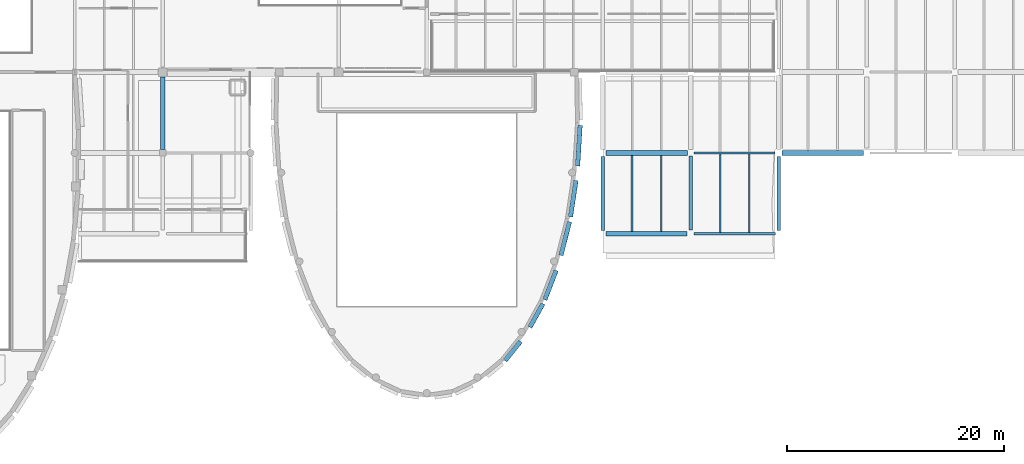
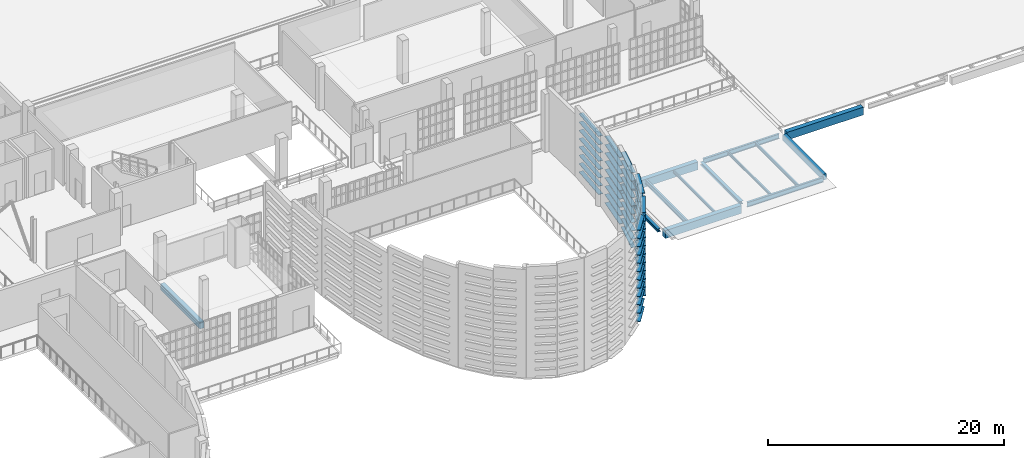
# One storey, part 13 of 73: 61 members, 13 beams.
"""IFC4 building model written with IfcOpenShell, lengths in metres."""

from ifc_helpers import new_model, si_unit, direction, frame, origin, origin_2d, place, context, subcontext, project, spatial, rectangle, hollow_rectangle, i_section, extrude, material, material_profile, profile_set, type_object, element, save


model = new_model("IFC4")

# Units and contexts
model_context = context("Model", 3, precision=1e-05, world=origin(), true_north=direction((0.0, 1.0)))
body_context = subcontext(model_context, "Body", "Model", "MODEL_VIEW")
ifc_project = project(units=[si_unit("LENGTHUNIT", "METRE"), si_unit("AREAUNIT", "SQUARE_METRE"), si_unit("VOLUMEUNIT", "CUBIC_METRE"), si_unit("PLANEANGLEUNIT", "RADIAN"), si_unit("MASSUNIT", "GRAM", prefix="KILO")], contexts=[model_context])

# Site, building, storey
site_placement = place(None, origin())
site = spatial("IfcSite", under=ifc_project, at=site_placement, CompositionType="ELEMENT")
building_placement = place(site_placement, origin())
building = spatial("IfcBuilding", under=site, at=building_placement, Name="Kaelora Sail Theatre", CompositionType="ELEMENT")
storey_placement = place(building_placement, frame((0.0, 0.0, 10.199951171875)))
storey = spatial("IfcBuildingStorey", under=building, at=storey_placement, Name="L02", CompositionType="ELEMENT", Elevation=10.199951171875)

# Members
ifc_material_1 = material(Name="Anodised aluminium 6063-T6", Category="aluminium")
ifc_material_profile_1 = material_profile(ifc_material_1, hollow_rectangle(XDim=0.419921875, YDim=0.054931640625, WallThickness=0.00390625, InnerFilletRadius=0.00390625, OuterFilletRadius=0.008056640625, at=origin_2d()), Name="LOUVRE 420x55x4")
ifc_profile_set_1 = profile_set([ifc_material_profile_1], Name="Anodised aluminium 6063-T6")
member_type = type_object("IfcMemberType", Name="ARC-MEM-LVR-420", PredefinedType="USERDEFINED", material=ifc_profile_set_1)
for number, where, z_axis, x_axis, name in (
    (1, (104.72265625, 56.121337890625, 0.510009765625), (-0.062079432588, -0.998071211913, 0.0), (0.998071211913, -0.062079432588, 0.0), "Studio Theatre Sail Drum horizontal solar louvre C2-12"),
    (2, (104.72265625, 56.121337890625, 1.3701171875), (-0.062079432588, -0.998071211913, 0.0), (0.998071211913, -0.062079432588, 0.0), "Studio Theatre Sail Drum horizontal solar louvre C2-13"),
    (3, (104.72265625, 56.121337890625, 2.22998046875), (-0.062079432588, -0.998071211913, 0.0), (0.998071211913, -0.062079432588, 0.0), "Studio Theatre Sail Drum horizontal solar louvre C2-14"),
    (4, (104.72265625, 56.121337890625, 3.090087890625), (-0.062079432588, -0.998071211913, 0.0), (0.998071211913, -0.062079432588, 0.0), "Studio Theatre Sail Drum horizontal solar louvre C2-15"),
    (5, (104.72265625, 56.121337890625, 3.949951171875), (-0.062079432588, -0.998071211913, 0.0), (0.998071211913, -0.062079432588, 0.0), "Studio Theatre Sail Drum horizontal solar louvre C2-16"),
    (6, (104.72265625, 56.121337890625, 4.81005859375), (-0.062079432588, -0.998071211913, 0.0), (0.998071211913, -0.062079432588, 0.0), "Studio Theatre Sail Drum horizontal solar louvre C2-17"),
    (7, (104.72265625, 56.121337890625, 5.670166015625), (-0.062079432588, -0.998071211913, 0.0), (0.998071211913, -0.062079432588, 0.0), "Studio Theatre Sail Drum horizontal solar louvre C2-18"),
    (8, (104.72265625, 56.121337890625, 6.530029296875), (-0.062079432588, -0.998071211913, 0.0), (0.998071211913, -0.062079432588, 0.0), "Studio Theatre Sail Drum horizontal solar louvre C2-19"),
):
    element("IfcMember", number, at=place(storey_placement, frame(where, z_axis=z_axis, x_axis=x_axis)), inside=storey, type_object=member_type, Name=name, ObjectType="LOUVRE", PredefinedType="USERDEFINED", context=body_context, shape_type="SweptSolid", body=[
        extrude(hollow_rectangle(XDim=0.419921875, YDim=0.054931640625, WallThickness=0.00390625, InnerFilletRadius=0.00390625, OuterFilletRadius=0.008056640625, at=origin_2d()), origin(), (0.0, 0.0, 1.0), 3.763671875),
    ])
for number, where, z_axis, x_axis, name in (
    (9, (104.340087890625, 51.04443359375, 0.510009765625), (-0.149366728662, -0.98878186693, 0.0), (0.98878186693, -0.149366728662, 0.0), "Studio Theatre Sail Drum horizontal solar louvre C3-12"),
    (10, (104.340087890625, 51.04443359375, 1.3701171875), (-0.149366728662, -0.98878186693, 0.0), (0.98878186693, -0.149366728662, 0.0), "Studio Theatre Sail Drum horizontal solar louvre C3-13"),
    (11, (104.340087890625, 51.04443359375, 2.22998046875), (-0.149366728662, -0.98878186693, 0.0), (0.98878186693, -0.149366728662, 0.0), "Studio Theatre Sail Drum horizontal solar louvre C3-14"),
    (12, (104.340087890625, 51.04443359375, 3.090087890625), (-0.149366728662, -0.98878186693, 0.0), (0.98878186693, -0.149366728662, 0.0), "Studio Theatre Sail Drum horizontal solar louvre C3-15"),
    (13, (104.340087890625, 51.04443359375, 3.949951171875), (-0.149366728662, -0.98878186693, 0.0), (0.98878186693, -0.149366728662, 0.0), "Studio Theatre Sail Drum horizontal solar louvre C3-16"),
    (14, (104.340087890625, 51.04443359375, 4.81005859375), (-0.149366728662, -0.98878186693, 0.0), (0.98878186693, -0.149366728662, 0.0), "Studio Theatre Sail Drum horizontal solar louvre C3-17"),
    (15, (104.340087890625, 51.04443359375, 5.670166015625), (-0.149366728662, -0.98878186693, 0.0), (0.98878186693, -0.149366728662, 0.0), "Studio Theatre Sail Drum horizontal solar louvre C3-18"),
    (16, (104.340087890625, 51.04443359375, 6.530029296875), (-0.149366728662, -0.98878186693, 0.0), (0.98878186693, -0.149366728662, 0.0), "Studio Theatre Sail Drum horizontal solar louvre C3-19"),
    (17, (104.340087890625, 51.04443359375, 7.39013671875), (-0.149366728662, -0.98878186693, 0.0), (0.98878186693, -0.149366728662, 0.0), "Studio Theatre Sail Drum horizontal solar louvre C3-20"),
):
    element("IfcMember", number, at=place(storey_placement, frame(where, z_axis=z_axis, x_axis=x_axis)), inside=storey, type_object=member_type, Name=name, ObjectType="LOUVRE", PredefinedType="USERDEFINED", context=body_context, shape_type="SweptSolid", body=[
        extrude(hollow_rectangle(XDim=0.419921875, YDim=0.054931640625, WallThickness=0.00390625, InnerFilletRadius=0.00390625, OuterFilletRadius=0.008056640625, at=origin_2d()), origin(), (0.0, 0.0, 1.0), 3.396484375),
    ])
for number, where, z_axis, x_axis, name in (
    (18, (103.744140625, 47.24560546875, 0.510009765625), (-0.24769312213, -0.968838540341, 0.0), (0.968838540341, -0.24769312213, 0.0), "Studio Theatre Sail Drum horizontal solar louvre C4-12"),
    (19, (103.744140625, 47.24560546875, 1.3701171875), (-0.24769312213, -0.968838540341, 0.0), (0.968838540341, -0.24769312213, 0.0), "Studio Theatre Sail Drum horizontal solar louvre C4-13"),
    (20, (103.744140625, 47.24560546875, 2.22998046875), (-0.24769312213, -0.968838540341, 0.0), (0.968838540341, -0.24769312213, 0.0), "Studio Theatre Sail Drum horizontal solar louvre C4-14"),
    (21, (103.744140625, 47.24560546875, 3.090087890625), (-0.24769312213, -0.968838540341, 0.0), (0.968838540341, -0.24769312213, 0.0), "Studio Theatre Sail Drum horizontal solar louvre C4-15"),
    (22, (103.744140625, 47.24560546875, 3.949951171875), (-0.24769312213, -0.968838540341, 0.0), (0.968838540341, -0.24769312213, 0.0), "Studio Theatre Sail Drum horizontal solar louvre C4-16"),
    (23, (103.744140625, 47.24560546875, 4.81005859375), (-0.24769312213, -0.968838540341, 0.0), (0.968838540341, -0.24769312213, 0.0), "Studio Theatre Sail Drum horizontal solar louvre C4-17"),
    (24, (103.744140625, 47.24560546875, 5.670166015625), (-0.24769312213, -0.968838540341, 0.0), (0.968838540341, -0.24769312213, 0.0), "Studio Theatre Sail Drum horizontal solar louvre C4-18"),
    (25, (103.744140625, 47.24560546875, 6.530029296875), (-0.24769312213, -0.968838540341, 0.0), (0.968838540341, -0.24769312213, 0.0), "Studio Theatre Sail Drum horizontal solar louvre C4-19"),
    (26, (103.744140625, 47.24560546875, 7.39013671875), (-0.24769312213, -0.968838540341, 0.0), (0.968838540341, -0.24769312213, 0.0), "Studio Theatre Sail Drum horizontal solar louvre C4-20"),
    (27, (103.744140625, 47.24560546875, 8.25), (-0.24769312213, -0.968838540341, 0.0), (0.968838540341, -0.24769312213, 0.0), "Studio Theatre Sail Drum horizontal solar louvre C4-21"),
):
    element("IfcMember", number, at=place(storey_placement, frame(where, z_axis=z_axis, x_axis=x_axis)), inside=storey, type_object=member_type, Name=name, ObjectType="LOUVRE", PredefinedType="USERDEFINED", context=body_context, shape_type="SweptSolid", body=[
        extrude(hollow_rectangle(XDim=0.419921875, YDim=0.054931640625, WallThickness=0.00390625, InnerFilletRadius=0.00390625, OuterFilletRadius=0.008056640625, at=origin_2d()), origin(), (0.0, 0.0, 1.0), 3.194580078125),
    ])
for number, where, z_axis, x_axis, name in (
    (28, (102.51123046875, 42.767578125, 0.510009765625), (-0.359300533741, -0.93322190633, 0.0), (0.93322190633, -0.359300533741, 0.0), "Studio Theatre Sail Drum horizontal solar louvre C5-12"),
    (29, (102.51123046875, 42.767578125, 1.3701171875), (-0.359300533741, -0.93322190633, 0.0), (0.93322190633, -0.359300533741, 0.0), "Studio Theatre Sail Drum horizontal solar louvre C5-13"),
    (30, (102.51123046875, 42.767578125, 2.22998046875), (-0.359300533741, -0.93322190633, 0.0), (0.93322190633, -0.359300533741, 0.0), "Studio Theatre Sail Drum horizontal solar louvre C5-14"),
    (31, (102.51123046875, 42.767578125, 3.090087890625), (-0.359300533741, -0.93322190633, 0.0), (0.93322190633, -0.359300533741, 0.0), "Studio Theatre Sail Drum horizontal solar louvre C5-15"),
    (32, (102.51123046875, 42.767578125, 3.949951171875), (-0.359300533741, -0.93322190633, 0.0), (0.93322190633, -0.359300533741, 0.0), "Studio Theatre Sail Drum horizontal solar louvre C5-16"),
    (33, (102.51123046875, 42.767578125, 4.81005859375), (-0.359300533741, -0.93322190633, 0.0), (0.93322190633, -0.359300533741, 0.0), "Studio Theatre Sail Drum horizontal solar louvre C5-17"),
    (34, (102.51123046875, 42.767578125, 5.670166015625), (-0.359300533741, -0.93322190633, 0.0), (0.93322190633, -0.359300533741, 0.0), "Studio Theatre Sail Drum horizontal solar louvre C5-18"),
    (35, (102.51123046875, 42.767578125, 6.530029296875), (-0.359300533741, -0.93322190633, 0.0), (0.93322190633, -0.359300533741, 0.0), "Studio Theatre Sail Drum horizontal solar louvre C5-19"),
    (36, (102.51123046875, 42.767578125, 7.39013671875), (-0.359300533741, -0.93322190633, 0.0), (0.93322190633, -0.359300533741, 0.0), "Studio Theatre Sail Drum horizontal solar louvre C5-20"),
    (37, (102.51123046875, 42.767578125, 8.25), (-0.359300533741, -0.93322190633, 0.0), (0.93322190633, -0.359300533741, 0.0), "Studio Theatre Sail Drum horizontal solar louvre C5-21"),
    (38, (102.51123046875, 42.767578125, 9.110107421875), (-0.359300533741, -0.93322190633, 0.0), (0.93322190633, -0.359300533741, 0.0), "Studio Theatre Sail Drum horizontal solar louvre C5-22"),
):
    element("IfcMember", number, at=place(storey_placement, frame(where, z_axis=z_axis, x_axis=x_axis)), inside=storey, type_object=member_type, Name=name, ObjectType="LOUVRE", PredefinedType="USERDEFINED", context=body_context, shape_type="SweptSolid", body=[
        extrude(hollow_rectangle(XDim=0.419921875, YDim=0.054931640625, WallThickness=0.00390625, InnerFilletRadius=0.00390625, OuterFilletRadius=0.008056640625, at=origin_2d()), origin(), (0.0, 0.0, 1.0), 2.900634765625),
    ])
for number, where, z_axis, x_axis, name in (
    (39, (101.301025390625, 39.698486328125, 0.510009765625), (-0.485852103854, -0.874041036325, 0.0), (0.874041036325, -0.485852103854, 0.0), "Studio Theatre Sail Drum horizontal solar louvre C6-12"),
    (40, (101.301025390625, 39.698486328125, 1.3701171875), (-0.485852103854, -0.874041036325, 0.0), (0.874041036325, -0.485852103854, 0.0), "Studio Theatre Sail Drum horizontal solar louvre C6-13"),
    (41, (101.301025390625, 39.698486328125, 2.22998046875), (-0.485852103854, -0.874041036325, 0.0), (0.874041036325, -0.485852103854, 0.0), "Studio Theatre Sail Drum horizontal solar louvre C6-14"),
    (42, (101.301025390625, 39.698486328125, 3.090087890625), (-0.485852103854, -0.874041036325, 0.0), (0.874041036325, -0.485852103854, 0.0), "Studio Theatre Sail Drum horizontal solar louvre C6-15"),
    (43, (101.301025390625, 39.698486328125, 3.949951171875), (-0.485852103854, -0.874041036325, 0.0), (0.874041036325, -0.485852103854, 0.0), "Studio Theatre Sail Drum horizontal solar louvre C6-16"),
    (44, (101.301025390625, 39.698486328125, 4.81005859375), (-0.485852103854, -0.874041036325, 0.0), (0.874041036325, -0.485852103854, 0.0), "Studio Theatre Sail Drum horizontal solar louvre C6-17"),
    (45, (101.301025390625, 39.698486328125, 5.670166015625), (-0.485852103854, -0.874041036325, 0.0), (0.874041036325, -0.485852103854, 0.0), "Studio Theatre Sail Drum horizontal solar louvre C6-18"),
    (46, (101.301025390625, 39.698486328125, 6.530029296875), (-0.485852103854, -0.874041036325, 0.0), (0.874041036325, -0.485852103854, 0.0), "Studio Theatre Sail Drum horizontal solar louvre C6-19"),
    (47, (101.301025390625, 39.698486328125, 7.39013671875), (-0.485852103854, -0.874041036325, 0.0), (0.874041036325, -0.485852103854, 0.0), "Studio Theatre Sail Drum horizontal solar louvre C6-20"),
    (48, (101.301025390625, 39.698486328125, 8.25), (-0.485852103854, -0.874041036325, 0.0), (0.874041036325, -0.485852103854, 0.0), "Studio Theatre Sail Drum horizontal solar louvre C6-21"),
    (49, (101.301025390625, 39.698486328125, 9.110107421875), (-0.485852103854, -0.874041036325, 0.0), (0.874041036325, -0.485852103854, 0.0), "Studio Theatre Sail Drum horizontal solar louvre C6-22"),
):
    element("IfcMember", number, at=place(storey_placement, frame(where, z_axis=z_axis, x_axis=x_axis)), inside=storey, type_object=member_type, Name=name, ObjectType="LOUVRE", PredefinedType="USERDEFINED", context=body_context, shape_type="SweptSolid", body=[
        extrude(hollow_rectangle(XDim=0.419921875, YDim=0.054931640625, WallThickness=0.00390625, InnerFilletRadius=0.00390625, OuterFilletRadius=0.008056640625, at=origin_2d()), origin(), (0.0, 0.0, 1.0), 2.477294921875),
    ])
for number, where, z_axis, x_axis, name in (
    (50, (99.23388671875, 36.231689453125, 0.510009765625), (-0.626268503228, -0.779607440873, 0.0), (0.779607440873, -0.626268503228, 0.0), "Studio Theatre Sail Drum horizontal solar louvre C7-12"),
    (51, (99.23388671875, 36.231689453125, 1.3701171875), (-0.626268503228, -0.779607440873, 0.0), (0.779607440873, -0.626268503228, 0.0), "Studio Theatre Sail Drum horizontal solar louvre C7-13"),
    (52, (99.23388671875, 36.231689453125, 2.22998046875), (-0.626268503228, -0.779607440873, 0.0), (0.779607440873, -0.626268503228, 0.0), "Studio Theatre Sail Drum horizontal solar louvre C7-14"),
    (53, (99.23388671875, 36.231689453125, 3.090087890625), (-0.626268503228, -0.779607440873, 0.0), (0.779607440873, -0.626268503228, 0.0), "Studio Theatre Sail Drum horizontal solar louvre C7-15"),
    (54, (99.23388671875, 36.231689453125, 3.949951171875), (-0.626268503228, -0.779607440873, 0.0), (0.779607440873, -0.626268503228, 0.0), "Studio Theatre Sail Drum horizontal solar louvre C7-16"),
    (55, (99.23388671875, 36.231689453125, 4.81005859375), (-0.626268503228, -0.779607440873, 0.0), (0.779607440873, -0.626268503228, 0.0), "Studio Theatre Sail Drum horizontal solar louvre C7-17"),
    (56, (99.23388671875, 36.231689453125, 5.670166015625), (-0.626268503228, -0.779607440873, 0.0), (0.779607440873, -0.626268503228, 0.0), "Studio Theatre Sail Drum horizontal solar louvre C7-18"),
    (57, (99.23388671875, 36.231689453125, 6.530029296875), (-0.626268503228, -0.779607440873, 0.0), (0.779607440873, -0.626268503228, 0.0), "Studio Theatre Sail Drum horizontal solar louvre C7-19"),
    (58, (99.23388671875, 36.231689453125, 7.39013671875), (-0.626268503228, -0.779607440873, 0.0), (0.779607440873, -0.626268503228, 0.0), "Studio Theatre Sail Drum horizontal solar louvre C7-20"),
    (59, (99.23388671875, 36.231689453125, 8.25), (-0.626268503228, -0.779607440873, 0.0), (0.779607440873, -0.626268503228, 0.0), "Studio Theatre Sail Drum horizontal solar louvre C7-21"),
    (60, (99.23388671875, 36.231689453125, 9.110107421875), (-0.626268503228, -0.779607440873, 0.0), (0.779607440873, -0.626268503228, 0.0), "Studio Theatre Sail Drum horizontal solar louvre C7-22"),
    (61, (99.23388671875, 36.231689453125, 9.969970703125), (-0.626268503228, -0.779607440873, 0.0), (0.779607440873, -0.626268503228, 0.0), "Studio Theatre Sail Drum horizontal solar louvre C7-23"),
):
    element("IfcMember", number, at=place(storey_placement, frame(where, z_axis=z_axis, x_axis=x_axis)), inside=storey, type_object=member_type, Name=name, ObjectType="LOUVRE", PredefinedType="USERDEFINED", context=body_context, shape_type="SweptSolid", body=[
        extrude(hollow_rectangle(XDim=0.419921875, YDim=0.054931640625, WallThickness=0.00390625, InnerFilletRadius=0.00390625, OuterFilletRadius=0.008056640625, at=origin_2d()), origin(), (0.0, 0.0, 1.0), 2.268798828125),
    ])

# Beams
ifc_material_2 = material(Name="Steel S355", Category="steel")
ifc_material_profile_2 = material_profile(ifc_material_2, i_section(OverallWidth=0.300048828125, OverallDepth=0.31005859375, WebThickness=0.009033203125, FlangeThickness=0.015380859375, FilletRadius=0.027099609375, at=origin_2d()), Name="HEA 320")
ifc_profile_set_2 = profile_set([ifc_material_profile_2], Name="Steel S355")
beam_type_1 = type_object("IfcBeamType", Name="STR-BM-BM-HEA320", PredefinedType="BEAM", material=ifc_profile_set_2)
for number, where, z_axis, x_axis, name in (
    (62, (106.800048828125, 46.43994140625, -0.449951171875), (0.0, 1.0, 0.0), (-1.0, 0.0, 0.0), "Primary beam 14 G-H (L02)"),
    (63, (114.89990234375, 46.465087890625, -0.449951171875), (0.0, 1.0, 0.0), (-1.0, 0.0, 0.0), "Primary beam 15 G-H (L02)"),
):
    element("IfcBeam", number, at=place(storey_placement, frame(where, z_axis=z_axis, x_axis=x_axis)), inside=storey, type_object=beam_type_1, Name=name, PredefinedType="BEAM", context=body_context, shape_type="SweptSolid", body=[
        extrude(i_section(OverallWidth=0.300048828125, OverallDepth=0.31005859375, WebThickness=0.009033203125, FlangeThickness=0.015380859375, FilletRadius=0.027099609375, at=origin_2d()), origin(), (0.0, 0.0, 1.0), 6.81494140625),
    ])
ifc_material_3 = material(Name="Steel S355", Category="steel")
ifc_material_profile_3 = material_profile(ifc_material_3, i_section(OverallWidth=0.18994140625, OverallDepth=0.449951171875, WebThickness=0.009521484375, FlangeThickness=0.0146484375, FilletRadius=0.02099609375, at=origin_2d()), Name="IPE 450")
ifc_profile_set_3 = profile_set([ifc_material_profile_3], Name="Steel S355")
beam_type_2 = type_object("IfcBeamType", Name="STR-BM-BM-IPE450", PredefinedType="BEAM", material=ifc_profile_set_3)
beam_1_placement = place(storey_placement, frame((109.5, 46.364990234375, -0.52001953125), z_axis=(0.0, 1.0, 0.0), x_axis=(-1.0, 0.0, 0.0)))
element("IfcBeam", 64, at=beam_1_placement, inside=storey, type_object=beam_type_2, Name="Secondary floor joist 14/G-1 (L02)", PredefinedType="BEAM", context=body_context, shape_type="SweptSolid", body=[
    extrude(i_section(OverallWidth=0.18994140625, OverallDepth=0.449951171875, WebThickness=0.009521484375, FlangeThickness=0.0146484375, FilletRadius=0.02099609375, at=origin_2d()), origin(), (0.0, 0.0, 1.0), 6.989990234375),
])
ifc_material_4 = material(Name="Steel S355", Category="steel")
ifc_material_profile_4 = material_profile(ifc_material_4, i_section(OverallWidth=0.199951171875, OverallDepth=0.5, WebThickness=0.01025390625, FlangeThickness=0.01611328125, FilletRadius=0.02099609375, at=origin_2d()), Name="IPE 500")
ifc_profile_set_4 = profile_set([ifc_material_profile_4], Name="Steel S355")
beam_type_3 = type_object("IfcBeamType", Name="STR-BM-BM-IPE500", PredefinedType="BEAM", material=ifc_profile_set_4)
beam_2_placement = place(storey_placement, frame((115.22509765625, 46.139892578125, -0.544921875), z_axis=(1.0, 0.0, 0.0), x_axis=(0.0, 1.0, 0.0)))
element("IfcBeam", 65, at=beam_2_placement, inside=storey, type_object=beam_type_3, Name="Primary beam G 15-16 (L02)", PredefinedType="BEAM", context=body_context, shape_type="SweptSolid", body=[
    extrude(i_section(OverallWidth=0.199951171875, OverallDepth=0.5, WebThickness=0.01025390625, FlangeThickness=0.01611328125, FilletRadius=0.02099609375, at=origin_2d()), origin(), (0.0, 0.0, 1.0), 7.474853515625),
])
beam_3_placement = place(storey_placement, frame((115.199951171875, 53.580078125, -0.544921875), z_axis=(1.0, 0.0, 0.0), x_axis=(0.0, 1.0, 0.0)))
element("IfcBeam", 66, at=beam_3_placement, inside=storey, type_object=beam_type_3, Name="Primary beam H 15-16 (L02)", PredefinedType="BEAM", context=body_context, shape_type="SweptSolid", body=[
    extrude(i_section(OverallWidth=0.199951171875, OverallDepth=0.5, WebThickness=0.01025390625, FlangeThickness=0.01611328125, FilletRadius=0.02099609375, at=origin_2d()), origin(), (0.0, 0.0, 1.0), 7.47509765625),
])
ifc_material_5 = material(Name="Concrete C40/50", Category="concrete")
ifc_material_profile_5 = material_profile(ifc_material_5, rectangle(XDim=0.35009765625, YDim=0.60009765625, at=origin_2d()), Name="RC-BM 350x600")
ifc_profile_set_5 = profile_set([ifc_material_profile_5], Name="Concrete C40/50")
beam_type_4 = type_object("IfcBeamType", Name="STR-BM-BM-RC3560", PredefinedType="BEAM", material=ifc_profile_set_5)
beam_4_placement = place(storey_placement, frame((123.0, 46.43994140625, -0.594970703125), z_axis=(0.0, 1.0, 0.0), x_axis=(-1.0, 0.0, 0.0)))
element("IfcBeam", 67, at=beam_4_placement, inside=storey, type_object=beam_type_4, Name="Primary beam 16 G-H (L02)", PredefinedType="BEAM", context=body_context, shape_type="SweptSolid", body=[
    extrude(rectangle(XDim=0.35009765625, YDim=0.60009765625, at=origin_2d()), origin(), (0.0, 0.0, 1.0), 6.81494140625),
])
ifc_material_6 = material(Name="Concrete C40/50", Category="concrete")
ifc_material_profile_6 = material_profile(ifc_material_6, rectangle(XDim=0.39990234375, YDim=0.64990234375, at=origin_2d()), Name="RC-BM 400x650")
ifc_profile_set_6 = profile_set([ifc_material_profile_6], Name="Concrete C40/50")
beam_type_5 = type_object("IfcBeamType", Name="STR-BM-BM-RC4065", PredefinedType="BEAM", material=ifc_profile_set_6)
beam_5_placement = place(storey_placement, frame((66.300048828125, 53.8798828125, -0.619873046875), z_axis=(0.0, 1.0, 0.0), x_axis=(-1.0, 0.0, 0.0)))
element("IfcBeam", 68, at=beam_5_placement, inside=storey, type_object=beam_type_5, Name="Primary beam 9 H-I (L02)", PredefinedType="BEAM", context=body_context, shape_type="SweptSolid", body=[
    extrude(rectangle(XDim=0.39990234375, YDim=0.64990234375, at=origin_2d()), origin(), (0.0, 0.0, 1.0), 6.690185546875),
])
ifc_material_7 = material(Name="Concrete C45/55", Category="concrete")
ifc_material_profile_7 = material_profile(ifc_material_7, rectangle(XDim=0.449951171875, YDim=0.800048828125, at=origin_2d()), Name="RC-BM 450x800")
ifc_profile_set_7 = profile_set([ifc_material_profile_7], Name="Concrete C45/55")
beam_type_6 = type_object("IfcBeamType", Name="STR-BM-BM-RC4580", PredefinedType="BEAM", material=ifc_profile_set_7)
beam_6_placement = place(storey_placement, frame((107.10009765625, 46.139892578125, -0.695068359375), z_axis=(1.0, 0.0, 0.0), x_axis=(0.0, 1.0, 0.0)))
element("IfcBeam", 69, at=beam_6_placement, inside=storey, type_object=beam_type_6, Name="Primary beam G 14-15 (L02)", PredefinedType="BEAM", context=body_context, shape_type="SweptSolid", body=[
    extrude(rectangle(XDim=0.449951171875, YDim=0.800048828125, at=origin_2d()), origin(), (0.0, 0.0, 1.0), 7.474853515625),
])
for number, where, z_axis, x_axis, name in (
    (70, (107.125, 53.580078125, -0.695068359375), (1.0, 0.0, 0.0), (0.0, 1.0, 0.0), "Primary beam H 14-15 (L02)"),
    (71, (123.324951171875, 53.580078125, -0.695068359375), (1.0, 0.0, 0.0), (0.0, 1.0, 0.0), "Primary beam H 16-17 (L02)"),
):
    element("IfcBeam", number, at=place(storey_placement, frame(where, z_axis=z_axis, x_axis=x_axis)), inside=storey, type_object=beam_type_6, Name=name, PredefinedType="BEAM", context=body_context, shape_type="SweptSolid", body=[
        extrude(rectangle(XDim=0.449951171875, YDim=0.800048828125, at=origin_2d()), origin(), (0.0, 0.0, 1.0), 7.47509765625),
    ])
ifc_material_8 = material(Name="Steel S355", Category="steel")
ifc_material_profile_8 = material_profile(ifc_material_8, i_section(OverallWidth=0.135009765625, OverallDepth=0.27001953125, WebThickness=0.006591796875, FlangeThickness=0.01025390625, FilletRadius=0.014892578125, at=origin_2d()), Name="IPE 270")
ifc_profile_set_8 = profile_set([ifc_material_profile_8], Name="Steel S355")
beam_type_7 = type_object("IfcBeamType", Name="STR-BM-JS-IPE270", PredefinedType="JOIST", material=ifc_profile_set_8)
beam_7_placement = place(storey_placement, frame((112.199951171875, 46.364990234375, -0.429931640625), z_axis=(0.0, 1.0, 0.0), x_axis=(-1.0, 0.0, 0.0)))
element("IfcBeam", 72, at=beam_7_placement, inside=storey, type_object=beam_type_7, Name="Secondary floor joist 14/G-2 (L02)", PredefinedType="JOIST", context=body_context, shape_type="SweptSolid", body=[
    extrude(i_section(OverallWidth=0.135009765625, OverallDepth=0.27001953125, WebThickness=0.006591796875, FlangeThickness=0.01025390625, FilletRadius=0.014892578125, at=origin_2d()), origin(), (0.0, 0.0, 1.0), 6.989990234375),
])
beam_8_placement = place(storey_placement, frame((117.60009765625, 46.239990234375, -0.429931640625), z_axis=(0.0, 1.0, 0.0), x_axis=(-1.0, 0.0, 0.0)))
element("IfcBeam", 73, at=beam_8_placement, inside=storey, type_object=beam_type_7, Name="Secondary floor joist 15/G-1 (L02)", PredefinedType="JOIST", context=body_context, shape_type="SweptSolid", body=[
    extrude(i_section(OverallWidth=0.135009765625, OverallDepth=0.27001953125, WebThickness=0.006591796875, FlangeThickness=0.01025390625, FilletRadius=0.014892578125, at=origin_2d()), origin(), (0.0, 0.0, 1.0), 7.239990234375),
])
ifc_material_9 = material(Name="Steel S355", Category="steel")
ifc_material_profile_9 = material_profile(ifc_material_9, i_section(OverallWidth=0.14990234375, OverallDepth=0.300048828125, WebThickness=0.007080078125, FlangeThickness=0.0107421875, FilletRadius=0.014892578125, at=origin_2d()), Name="IPE 300")
ifc_profile_set_9 = profile_set([ifc_material_profile_9], Name="Steel S355")
beam_type_8 = type_object("IfcBeamType", Name="STR-BM-JS-IPE300", PredefinedType="JOIST", material=ifc_profile_set_9)
beam_9_placement = place(storey_placement, frame((120.300048828125, 46.239990234375, -0.445068359375), z_axis=(0.0, 1.0, 0.0), x_axis=(-1.0, 0.0, 0.0)))
element("IfcBeam", 74, at=beam_9_placement, inside=storey, type_object=beam_type_8, Name="Secondary floor joist 15/G-2 (L02)", PredefinedType="JOIST", context=body_context, shape_type="SweptSolid", body=[
    extrude(i_section(OverallWidth=0.14990234375, OverallDepth=0.300048828125, WebThickness=0.007080078125, FlangeThickness=0.0107421875, FilletRadius=0.014892578125, at=origin_2d()), origin(), (0.0, 0.0, 1.0), 7.239990234375),
])

save(model, "model.ifc")
